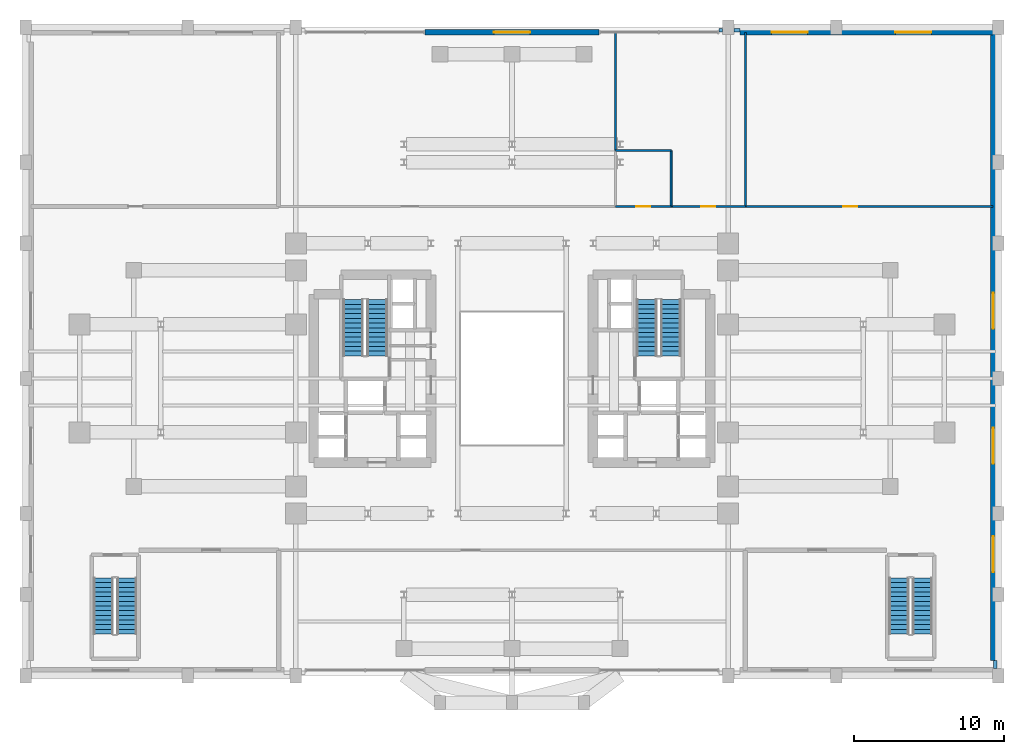
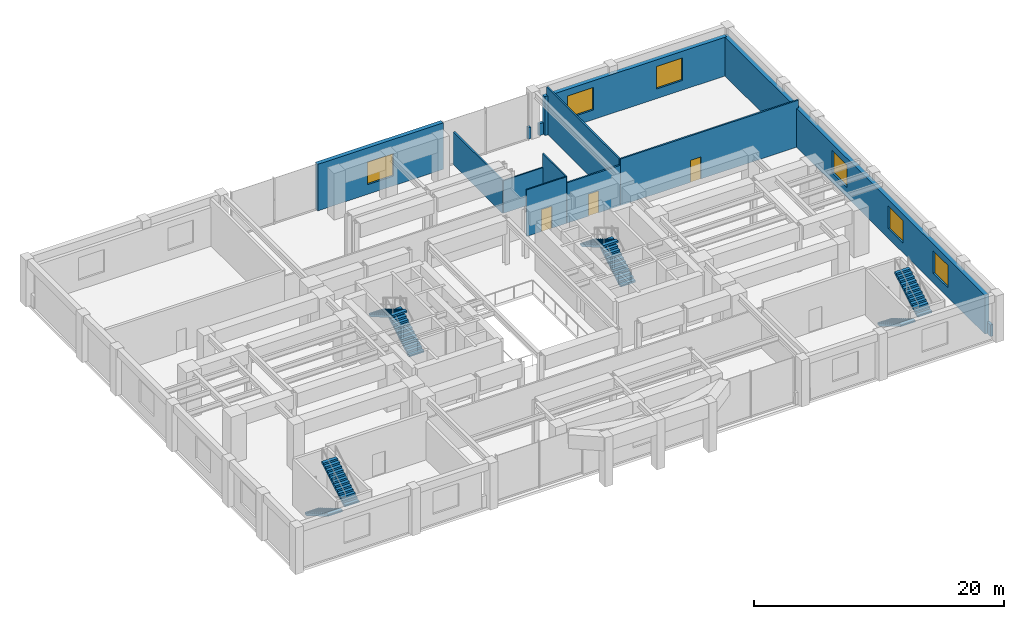
# One storey, part 12 of 14: 13 walls, 8 stair flights, 6 windows, 3 doors, 9 openings, 4 elements without a shape of their own.
"""IFC4 building model written with IfcOpenShell, lengths in metres."""

from ifc_helpers import new_model, si_unit, direction, frame, frame_2d, origin, place, context, subcontext, project, spatial, polyline, rectangle, outline, extrude, source, transform, mapped, material, layer, layer_set, type_object, element, fill, aggregate, save


model = new_model("IFC4")

# Units and contexts
model_context = context("Model", 3, precision=1e-05, world=origin(), true_north=direction((0.0, 1.0)))
body_context = subcontext(model_context, "Body", "Model", "MODEL_VIEW")
ifc_project = project(units=[si_unit("LENGTHUNIT", "METRE"), si_unit("AREAUNIT", "SQUARE_METRE"), si_unit("VOLUMEUNIT", "CUBIC_METRE"), si_unit("PLANEANGLEUNIT", "RADIAN"), si_unit("MASSUNIT", "GRAM", prefix="KILO")], contexts=[model_context])

# Site, building, storey
site_placement = place(None, origin())
site = spatial("IfcSite", under=ifc_project, at=site_placement, CompositionType="ELEMENT")
building_placement = place(site_placement, origin())
building = spatial("IfcBuilding", under=site, at=building_placement, Name="Keilestroom Media Tower", CompositionType="ELEMENT")
storey_placement = place(building_placement, frame((0.0, 0.0, 15.60009765625)))
storey = spatial("IfcBuildingStorey", under=building, at=storey_placement, Name="L03", CompositionType="ELEMENT", Elevation=15.60009765625)

# Wall, openings, windows
ifc_material_1 = material(Name="Precast concrete C40/50", Category="concrete")
ifc_layer_1 = layer(ifc_material_1, 0.3798828125)
ifc_layer_set_1 = layer_set([ifc_layer_1], Name="Precast concrete C40/50")
wall_type_1 = type_object("IfcWallType", Name="Exterior-Masonry-Spandrel-Wall-380", PredefinedType="SOLIDWALL", material=ifc_layer_set_1)
wall_1_placement = place(storey_placement, frame((15.199951171875, 23.050048828125, 0.0), z_axis=(0.0, 0.0, 1.0), x_axis=(1.0, 0.0, 0.0)))
wall_1 = element("IfcWall", 1, at=wall_1_placement, inside=storey, type_object=wall_type_1, Name="L03 Podium Precast Masonry Wall EWL-L03-N-E", PredefinedType="SOLIDWALL", context=body_context, shape_type="SweptSolid", body=[
    extrude(rectangle(XDim=16.85009765625, YDim=0.3798828125, at=frame_2d((8.425048828125, 0.0))), origin(), (0.0, 0.0, 1.0), 3.7998046875),
])
opening_1_placement = place(wall_1_placement, frame((2.087890625, 0.0, 0.949951171875)))
opening_1 = element("IfcOpeningElement", 2, at=opening_1_placement, cuts=wall_1, Name="Opening WN-02", PredefinedType="OPENING", context=body_context, shape_type="SweptSolid", body=[
    extrude(rectangle(XDim=2.39990234375, YDim=2.199951171875, at=frame_2d((1.199951171875, 1.10009765625))), frame((0.0, 0.199951171875, 0.0), z_axis=(0.0, -1.0, 0.0), x_axis=(1.0, 0.0, 0.0)), (0.0, 0.0, 1.0), 0.39990234375),
])
opening_2_placement = place(wall_1_placement, frame((10.337890625, 0.0, 0.949951171875)))
opening_2 = element("IfcOpeningElement", 3, at=opening_2_placement, cuts=wall_1, Name="Opening WN-02", PredefinedType="OPENING", context=body_context, shape_type="SweptSolid", body=[
    extrude(rectangle(XDim=2.39990234375, YDim=2.199951171875, at=frame_2d((1.199951171875, 1.10009765625))), frame((0.0, 0.199951171875, 0.0), z_axis=(0.0, -1.0, 0.0), x_axis=(1.0, 0.0, 0.0)), (0.0, 0.0, 1.0), 0.39990234375),
])
ifc_material_2 = material(Name="Triple Glazed Low-E Window Unit", Category="glass")
window_type = type_object("IfcWindowType", Name="Recessed-Punched-Window-WN-02", PartitioningType="DOUBLE_PANEL_VERTICAL", PredefinedType="WINDOW", material=ifc_material_2)
shared_shape_1 = source(origin(), body_context, "Body", "SweptSolid", [
    extrude(rectangle(XDim=2.39990234375, YDim=2.199951171875, at=frame_2d((1.199951171875, 1.10009765625))), frame((0.0, 0.030029296875, 0.0), z_axis=(0.0, -1.0, 0.0), x_axis=(1.0, 0.0, 0.0)), (0.0, 0.0, 1.0), 0.06005859375),
])
window_1_placement = place(opening_1_placement, origin())
window_1 = element("IfcWindow", 4, at=window_1_placement, inside=storey, type_object=window_type, Name="L03 Window WN-02 EWL-L03-N-E-1", OverallHeight=2.199951171875, OverallWidth=2.39990234375, PartitioningType="SINGLE_PANEL", PredefinedType="WINDOW", context=body_context, shape_type="MappedRepresentation", body=[
    mapped(shared_shape_1, transform((0.0, 0.0, 0.0), x_axis=(1.0, 0.0, 0.0), y_axis=(0.0, 1.0, 0.0), z_axis=(0.0, 0.0, 1.0), scale=1.0)),
])
fill(opening_1, window_1)
window_2_placement = place(opening_2_placement, origin())
window_2 = element("IfcWindow", 5, at=window_2_placement, inside=storey, type_object=window_type, Name="L03 Window WN-02 EWL-L03-N-E-2", OverallHeight=2.199951171875, OverallWidth=2.39990234375, PartitioningType="SINGLE_PANEL", PredefinedType="WINDOW", context=body_context, shape_type="MappedRepresentation", body=[
    mapped(shared_shape_1, transform((0.0, 0.0, 0.0), x_axis=(1.0, 0.0, 0.0), y_axis=(0.0, 1.0, 0.0), z_axis=(0.0, 0.0, 1.0), scale=1.0)),
])
fill(opening_2, window_2)

wall_2_placement = place(storey_placement, frame((32.050048828125, -18.800048828125, 0.0), z_axis=(0.0, 0.0, 1.0), x_axis=(0.0, 1.0, 0.0)))
wall_2 = element("IfcWall", 6, at=wall_2_placement, inside=storey, type_object=wall_type_1, Name="L03 Podium Precast Masonry Wall EWL-L03-E-M", PredefinedType="SOLIDWALL", context=body_context, shape_type="SweptSolid", body=[
    extrude(rectangle(XDim=42.0, YDim=0.3798828125, at=frame_2d((21.0, 0.0))), origin(), (0.0, 0.0, 1.0), 3.7998046875),
])
opening_3_placement = place(wall_2_placement, frame((5.89990234375, 0.0, 0.949951171875)))
opening_3 = element("IfcOpeningElement", 7, at=opening_3_placement, cuts=wall_2, Name="Opening WN-02", PredefinedType="OPENING", context=body_context, shape_type="SweptSolid", body=[
    extrude(rectangle(XDim=2.39990234375, YDim=2.199951171875, at=frame_2d((1.199951171875, 1.10009765625))), frame((0.0, 0.199951171875, 0.0), z_axis=(0.0, -1.0, 0.0), x_axis=(1.0, 0.0, 0.0)), (0.0, 0.0, 1.0), 0.39990234375),
])
opening_4_placement = place(wall_2_placement, frame((13.10009765625, 0.0, 0.949951171875)))
opening_4 = element("IfcOpeningElement", 8, at=opening_4_placement, cuts=wall_2, Name="Opening WN-02", PredefinedType="OPENING", context=body_context, shape_type="SweptSolid", body=[
    extrude(rectangle(XDim=2.39990234375, YDim=2.199951171875, at=frame_2d((1.199951171875, 1.10009765625))), frame((0.0, 0.199951171875, 0.0), z_axis=(0.0, -1.0, 0.0), x_axis=(1.0, 0.0, 0.0)), (0.0, 0.0, 1.0), 0.39990234375),
])
opening_5_placement = place(wall_2_placement, frame((22.10009765625, 0.0, 0.949951171875)))
opening_5 = element("IfcOpeningElement", 9, at=opening_5_placement, cuts=wall_2, Name="Opening WN-02", PredefinedType="OPENING", context=body_context, shape_type="SweptSolid", body=[
    extrude(rectangle(XDim=2.39990234375, YDim=2.199951171875, at=frame_2d((1.199951171875, 1.10009765625))), frame((0.0, 0.199951171875, 0.0), z_axis=(0.0, -1.0, 0.0), x_axis=(1.0, 0.0, 0.0)), (0.0, 0.0, 1.0), 0.39990234375),
])
window_3_placement = place(opening_3_placement, origin())
window_3 = element("IfcWindow", 10, at=window_3_placement, inside=storey, type_object=window_type, Name="L03 Window WN-02 EWL-L03-E-M-1", OverallHeight=2.199951171875, OverallWidth=2.39990234375, PartitioningType="SINGLE_PANEL", PredefinedType="WINDOW", context=body_context, shape_type="MappedRepresentation", body=[
    mapped(shared_shape_1, transform((0.0, 0.0, 0.0), x_axis=(1.0, 0.0, 0.0), y_axis=(0.0, 1.0, 0.0), z_axis=(0.0, 0.0, 1.0), scale=1.0)),
])
fill(opening_3, window_3)
window_4_placement = place(opening_4_placement, origin())
window_4 = element("IfcWindow", 11, at=window_4_placement, inside=storey, type_object=window_type, Name="L03 Window WN-02 EWL-L03-E-M-2", OverallHeight=2.199951171875, OverallWidth=2.39990234375, PartitioningType="SINGLE_PANEL", PredefinedType="WINDOW", context=body_context, shape_type="MappedRepresentation", body=[
    mapped(shared_shape_1, transform((0.0, 0.0, 0.0), x_axis=(1.0, 0.0, 0.0), y_axis=(0.0, 1.0, 0.0), z_axis=(0.0, 0.0, 1.0), scale=1.0)),
])
fill(opening_4, window_4)
window_5_placement = place(opening_5_placement, origin())
window_5 = element("IfcWindow", 12, at=window_5_placement, inside=storey, type_object=window_type, Name="L03 Window WN-02 EWL-L03-E-M-3", OverallHeight=2.199951171875, OverallWidth=2.39990234375, PartitioningType="SINGLE_PANEL", PredefinedType="WINDOW", context=body_context, shape_type="MappedRepresentation", body=[
    mapped(shared_shape_1, transform((0.0, 0.0, 0.0), x_axis=(1.0, 0.0, 0.0), y_axis=(0.0, 1.0, 0.0), z_axis=(0.0, 0.0, 1.0), scale=1.0)),
])
fill(opening_5, window_5)

# Wall, opening, window
wall_3_placement = place(storey_placement, frame((-5.804931640625, 23.050048828125, 0.0), z_axis=(0.0, 0.0, 1.0), x_axis=(1.0, 0.0, 0.0)))
wall_3 = element("IfcWall", 13, at=wall_3_placement, inside=storey, type_object=wall_type_1, Name="L03 Podium Precast Masonry Wall EWL-L03-N-C-1", PredefinedType="SOLIDWALL", context=body_context, shape_type="SweptSolid", body=[
    extrude(rectangle(XDim=11.60986328125, YDim=0.3798828125, at=frame_2d((5.804931640625, 0.0))), origin(), (0.0, 0.0, 1.0), 4.5498046875),
])
opening_6_placement = place(wall_3_placement, frame((4.60498046875, 0.0, 0.949951171875)))
opening_6 = element("IfcOpeningElement", 14, at=opening_6_placement, cuts=wall_3, Name="Opening WN-02", PredefinedType="OPENING", context=body_context, shape_type="SweptSolid", body=[
    extrude(rectangle(XDim=2.39990234375, YDim=2.199951171875, at=frame_2d((1.199951171875, 1.10009765625))), frame((0.0, 0.199951171875, 0.0), z_axis=(0.0, -1.0, 0.0), x_axis=(1.0, 0.0, 0.0)), (0.0, 0.0, 1.0), 0.39990234375),
])
window_6_placement = place(opening_6_placement, origin())
window_6 = element("IfcWindow", 15, at=window_6_placement, inside=storey, type_object=window_type, Name="L03 Window WN-02 EWL-L03-N-C-1-1", OverallHeight=2.199951171875, OverallWidth=2.39990234375, PartitioningType="SINGLE_PANEL", PredefinedType="WINDOW", context=body_context, shape_type="MappedRepresentation", body=[
    mapped(shared_shape_1, transform((0.0, 0.0, 0.0), x_axis=(1.0, 0.0, 0.0), y_axis=(0.0, 1.0, 0.0), z_axis=(0.0, 0.0, 1.0), scale=1.0)),
])
fill(opening_6, window_6)

# Wall, opening, door
ifc_material_3 = material(Name="Gypsum Plasterboard & Steel Stud", Category="steel")
ifc_layer_2 = layer(ifc_material_3, 0.1201171875)
ifc_layer_set_2 = layer_set([ifc_layer_2], Name="Gypsum Plasterboard & Steel Stud")
wall_type_2 = type_object("IfcWallType", Name="Interior-Partition-Wall-120", PredefinedType="PARTITIONING", material=ifc_layer_set_2)
wall_4_placement = place(storey_placement, frame((6.89990234375, 11.449951171875, 0.0), z_axis=(0.0, 0.0, 1.0), x_axis=(1.0, 0.0, 0.0)))
wall_4 = element("IfcWall", 16, at=wall_4_placement, inside=storey, type_object=wall_type_2, Name="L03 Interior Wall WP-L03-WC-POD-S", PredefinedType="PARTITIONING", context=body_context, shape_type="SweptSolid", body=[
    extrude(rectangle(XDim=3.7001953125, YDim=0.1201171875, at=frame_2d((1.85009765625, 0.0))), origin(), (0.0, 0.0, 1.0), 4.5498046875),
])
opening_7_placement = place(wall_4_placement, frame((1.375, 0.0, 0.0)))
opening_7 = element("IfcOpeningElement", 17, at=opening_7_placement, cuts=wall_4, Name="Opening DI-03", PredefinedType="OPENING", context=body_context, shape_type="SweptSolid", body=[
    extrude(rectangle(XDim=0.949951171875, YDim=2.14990234375, at=frame_2d((0.47509765625, 1.074951171875))), frame((0.0, 0.070068359375, 0.0), z_axis=(0.0, -1.0, 0.0), x_axis=(1.0, 0.0, 0.0)), (0.0, 0.0, 1.0), 0.14013671875),
])
ifc_material_4 = material(Name="Lacquered European Oak Leaf", Category="wood")
door_type = type_object("IfcDoorType", Name="Interior-Room-And-Suite-Door-DI-03", OperationType="NOTDEFINED", PredefinedType="DOOR", material=ifc_material_4)
shared_shape_2 = source(origin(), body_context, "Body", "SweptSolid", [
    extrude(rectangle(XDim=0.949951171875, YDim=2.14990234375, at=frame_2d((0.47509765625, 1.074951171875))), frame((0.0, 0.02490234375, 0.0), z_axis=(0.0, -1.0, 0.0), x_axis=(1.0, 0.0, 0.0)), (0.0, 0.0, 1.0), 0.050048828125),
])
door_1_placement = place(opening_7_placement, origin())
door_1 = element("IfcDoor", 18, at=door_1_placement, inside=storey, type_object=door_type, Name="L03 Interior Door DI-L03-DWC-POD", OperationType="SINGLE_SWING_RIGHT", OverallHeight=2.14990234375, OverallWidth=0.949951171875, PredefinedType="DOOR", context=body_context, shape_type="MappedRepresentation", body=[
    mapped(shared_shape_2, transform((0.0, 0.0, 0.0), x_axis=(1.0, 0.0, 0.0), y_axis=(0.0, 1.0, 0.0), z_axis=(0.0, 0.0, 1.0), scale=1.0)),
])
fill(opening_7, door_1)

# Walls
wall_5_placement = place(storey_placement, frame((6.89990234375, 15.179931640625, 0.0), z_axis=(0.0, 0.0, 1.0), x_axis=(1.0, 0.0, 0.0)))
element("IfcWall", 19, at=wall_5_placement, inside=storey, type_object=wall_type_2, Name="L03 Interior Wall WP-L03-WC-POD-N", PredefinedType="PARTITIONING", context=body_context, shape_type="SweptSolid", body=[
    extrude(rectangle(XDim=3.7001953125, YDim=0.1201171875, at=frame_2d((1.85009765625, 0.0))), origin(), (0.0, 0.0, 1.0), 3.199951171875),
])
wall_6_placement = place(storey_placement, frame((10.60009765625, 11.449951171875, 0.0), z_axis=(0.0, 0.0, 1.0), x_axis=(0.0, 1.0, 0.0)))
element("IfcWall", 20, at=wall_6_placement, inside=storey, type_object=wall_type_2, Name="L03 Interior Wall WP-L03-WC-POD-E", PredefinedType="PARTITIONING", context=body_context, shape_type="SweptSolid", body=[
    extrude(rectangle(XDim=3.72998046875, YDim=0.1201171875, at=frame_2d((1.864990234375, 0.0))), origin(), (0.0, 0.0, 1.0), 4.5498046875),
])

# Wall, opening, door
ifc_layer_3 = layer(ifc_material_3, 0.14990234375)
ifc_layer_set_3 = layer_set([ifc_layer_3], Name="Gypsum Plasterboard & Steel Stud")
wall_type_3 = type_object("IfcWallType", Name="Interior-Partition-Wall-150", PredefinedType="PARTITIONING", material=ifc_layer_set_3)
wall_7_placement = place(storey_placement, frame((15.550048828125, 11.449951171875, 0.0), z_axis=(0.0, 0.0, 1.0), x_axis=(1.0, 0.0, 0.0)))
wall_7 = element("IfcWall", 21, at=wall_7_placement, inside=storey, type_object=wall_type_3, Name="L03 Interior Wall WP-L03-EDIT-NE-S", PredefinedType="PARTITIONING", context=body_context, shape_type="SweptSolid", body=[
    extrude(rectangle(XDim=16.5, YDim=0.14990234375, at=frame_2d((8.25, 0.0))), origin(), (0.0, 0.0, 1.0), 4.5498046875),
])
opening_8_placement = place(wall_7_placement, frame((6.5, 0.0, 0.0)))
opening_8 = element("IfcOpeningElement", 22, at=opening_8_placement, cuts=wall_7, Name="Opening DI-03", PredefinedType="OPENING", context=body_context, shape_type="SweptSolid", body=[
    extrude(rectangle(XDim=0.949951171875, YDim=2.14990234375, at=frame_2d((0.47509765625, 1.074951171875))), frame((0.0, 0.0849609375, 0.0), z_axis=(0.0, -1.0, 0.0), x_axis=(1.0, 0.0, 0.0)), (0.0, 0.0, 1.0), 0.169921875),
])
door_2_placement = place(opening_8_placement, origin())
door_2 = element("IfcDoor", 23, at=door_2_placement, inside=storey, type_object=door_type, Name="L03 Interior Door DI-L03-EDIT-NE-D", OperationType="SINGLE_SWING_RIGHT", OverallHeight=2.14990234375, OverallWidth=0.949951171875, PredefinedType="DOOR", context=body_context, shape_type="MappedRepresentation", body=[
    mapped(shared_shape_2, transform((0.0, 0.0, 0.0), x_axis=(1.0, 0.0, 0.0), y_axis=(0.0, 1.0, 0.0), z_axis=(0.0, 0.0, 1.0), scale=1.0)),
])
fill(opening_8, door_2)

# Walls
wall_8_placement = place(storey_placement, frame((15.550048828125, 11.449951171875, 0.0), z_axis=(0.0, 0.0, 1.0), x_axis=(0.0, 1.0, 0.0)))
element("IfcWall", 24, at=wall_8_placement, inside=storey, type_object=wall_type_3, Name="L03 Interior Wall WP-L03-EDIT-NE-W", PredefinedType="PARTITIONING", context=body_context, shape_type="SweptSolid", body=[
    extrude(rectangle(XDim=11.60009765625, YDim=0.14990234375, at=frame_2d((5.800048828125, 0.0))), origin(), (0.0, 0.0, 1.0), 4.5498046875),
])
wall_9_placement = place(storey_placement, frame((6.89990234375, 15.179931640625, 0.0), z_axis=(0.0, 0.0, 1.0), x_axis=(0.0, 1.0, 0.0)))
element("IfcWall", 25, at=wall_9_placement, inside=storey, type_object=wall_type_3, Name="L03 Interior Wall WP-L03-GREEN-N-E", PredefinedType="PARTITIONING", context=body_context, shape_type="SweptSolid", body=[
    extrude(rectangle(XDim=7.8701171875, YDim=0.14990234375, at=frame_2d((3.93505859375, 0.0))), origin(), (0.0, 0.0, 1.0), 3.199951171875),
])

# Wall, opening, door
wall_10_placement = place(storey_placement, frame((10.60009765625, 11.449951171875, 0.0), z_axis=(0.0, 0.0, 1.0), x_axis=(1.0, 0.0, 0.0)))
wall_10 = element("IfcWall", 26, at=wall_10_placement, inside=storey, type_object=wall_type_3, Name="L03 Interior Wall WP-L03-WARD-NE-S", PredefinedType="PARTITIONING", context=body_context, shape_type="SweptSolid", body=[
    extrude(rectangle(XDim=4.949951171875, YDim=0.14990234375, at=frame_2d((2.47509765625, 0.0))), origin(), (0.0, 0.0, 1.0), 3.949951171875),
])
opening_9_placement = place(wall_10_placement, frame((2.0, 0.0, 0.0)))
opening_9 = element("IfcOpeningElement", 27, at=opening_9_placement, cuts=wall_10, Name="Opening DI-03", PredefinedType="OPENING", context=body_context, shape_type="SweptSolid", body=[
    extrude(rectangle(XDim=0.949951171875, YDim=2.14990234375, at=frame_2d((0.47509765625, 1.074951171875))), frame((0.0, 0.0849609375, 0.0), z_axis=(0.0, -1.0, 0.0), x_axis=(1.0, 0.0, 0.0)), (0.0, 0.0, 1.0), 0.169921875),
])
door_3_placement = place(opening_9_placement, origin())
door_3 = element("IfcDoor", 28, at=door_3_placement, inside=storey, type_object=door_type, Name="L03 Interior Door DI-L03-WARD-NE-D", OperationType="SINGLE_SWING_RIGHT", OverallHeight=2.14990234375, OverallWidth=0.949951171875, PredefinedType="DOOR", context=body_context, shape_type="MappedRepresentation", body=[
    mapped(shared_shape_2, transform((0.0, 0.0, 0.0), x_axis=(1.0, 0.0, 0.0), y_axis=(0.0, 1.0, 0.0), z_axis=(0.0, 0.0, 1.0), scale=1.0)),
])
fill(opening_9, door_3)

# Walls
ifc_layer_4 = layer(ifc_material_1, 0.239990234375)
ifc_layer_set_4 = layer_set([ifc_layer_4], Name="Precast concrete C40/50")
wall_type_4 = type_object("IfcWallType", Name="Roof-And-Terrace-Parapet-Wall-240", PredefinedType="PARAPET", material=ifc_layer_set_4)
wall_11_placement = place(storey_placement, frame((13.782958984375, 23.199951171875, 0.0), z_axis=(0.0, 0.0, 1.0), x_axis=(1.0, 0.0, 0.0)))
element("IfcWall", 29, at=wall_11_placement, inside=storey, type_object=wall_type_4, Name="L03 Perimeter Edge Parapet Wall 05", PredefinedType="PARAPET", context=body_context, shape_type="SweptSolid", body=[
    extrude(rectangle(XDim=0.239013671875, YDim=0.239990234375, at=frame_2d((0.11962890625, 0.0))), origin(), (0.0, 0.0, 1.0), 1.14990234375),
])
wall_12_placement = place(storey_placement, frame((14.778076171875, 23.199951171875, 0.0), z_axis=(0.0, 0.0, 1.0), x_axis=(1.0, 0.0, 0.0)))
element("IfcWall", 30, at=wall_12_placement, inside=storey, type_object=wall_type_4, Name="L03 Perimeter Edge Parapet Wall 06", PredefinedType="PARAPET", context=body_context, shape_type="SweptSolid", body=[
    extrude(rectangle(XDim=0.4189453125, YDim=0.239990234375, at=frame_2d((0.20947265625, 0.0))), origin(), (0.0, 0.0, 1.0), 1.14990234375),
])
wall_13_placement = place(storey_placement, frame((32.199951171875, -18.802978515625, 0.0), z_axis=(0.0, 0.0, 1.0), x_axis=(0.0, -1.0, 0.0)))
element("IfcWall", 31, at=wall_13_placement, inside=storey, type_object=wall_type_4, Name="L03 Perimeter Edge Parapet Wall 07", PredefinedType="PARAPET", context=body_context, shape_type="SweptSolid", body=[
    extrude(rectangle(XDim=0.51904296875, YDim=0.239990234375, at=frame_2d((0.259521484375, 0.0))), origin(), (0.0, 0.0, 1.0), 1.14990234375),
])

# Stair, stair flights
ifc_material_5 = material(Name="Concrete C45/55", Category="concrete")
stair_type_1 = type_object("IfcStairType", Name="Enclosed-Dog-Leg-Stair-ST-CORE", PredefinedType="HALF_TURN_STAIR", material=ifc_material_5)
stair_1_placement = place(storey_placement, origin())
stair_1 = element("IfcStair", 32, at=stair_1_placement, inside=storey, type_object=stair_type_1, Name="L03 West Core Escape Stair ST-1", PredefinedType="HALF_TURN_STAIR")
stair_flight_type_1 = type_object("IfcStairFlightType", Name="Precast-Concrete-Stair-Flight-Core-160", PredefinedType="STRAIGHT", material=ifc_material_1)
stair_flight_1_placement = place(storey_placement, frame((-8.97998046875, 1.5, 0.0), z_axis=(0.0, 0.0, 1.0), x_axis=(0.0, 1.0, 0.0)))
stair_flight_1 = element("IfcStairFlight", 33, at=stair_flight_1_placement, type_object=stair_flight_type_1, Name="ST-1 flight 1", NumberOfRisers=13, NumberOfTreads=12, PredefinedType="STRAIGHT", RiserHeight=0.184615385, TreadLength=0.312, context=body_context, shape_type="SweptSolid", body=[
    extrude(outline(polyline([(0.0, 0.0), (0.0, 0.1845703125), (0.31201171875, 0.1845703125), (0.31201171875, 0.369140625), (0.6240234375, 0.369140625), (0.6240234375, 0.553955078125), (0.93603515625, 0.553955078125), (0.93603515625, 0.738525390625), (1.248046875, 0.738525390625), (1.248046875, 0.923095703125), (1.56005859375, 0.923095703125), (1.56005859375, 1.107666015625), (1.8720703125, 1.107666015625), (1.8720703125, 1.292236328125), (2.18408203125, 1.292236328125), (2.18408203125, 1.476806640625), (2.49609375, 1.476806640625), (2.49609375, 1.66162109375), (2.80810546875, 1.66162109375), (2.80810546875, 1.84619140625), (3.1201171875, 1.84619140625), (3.1201171875, 2.03076171875), (3.431884765625, 2.03076171875), (3.431884765625, 2.21533203125), (3.743896484375, 2.21533203125), (3.743896484375, 2.39990234375), (3.743896484375, 2.029541015625), (0.31396484375, 0.0), (0.0, 0.0)])), frame((0.0, 0.68017578125, 0.0), z_axis=(0.0, -1.0, 0.0), x_axis=(1.0, 0.0, 0.0)), (0.0, 0.0, 1.0), 1.360107421875),
])
stair_flight_2_placement = place(storey_placement, frame((-10.580078125, 5.243896484375, 2.39990234375), z_axis=(0.0, 0.0, 1.0), x_axis=(0.0, -1.0, 0.0)))
stair_flight_2 = element("IfcStairFlight", 34, at=stair_flight_2_placement, type_object=stair_flight_type_1, Name="ST-1 flight 2", NumberOfRisers=13, NumberOfTreads=12, PredefinedType="STRAIGHT", RiserHeight=0.184615385, TreadLength=0.312, context=body_context, shape_type="SweptSolid", body=[
    extrude(outline(polyline([(0.0, 0.0), (0.0, 0.1845703125), (0.31201171875, 0.1845703125), (0.31201171875, 0.369140625), (0.6240234375, 0.369140625), (0.6240234375, 0.553955078125), (0.93603515625, 0.553955078125), (0.93603515625, 0.738525390625), (1.248046875, 0.738525390625), (1.248046875, 0.923095703125), (1.56005859375, 0.923095703125), (1.56005859375, 1.107666015625), (1.8720703125, 1.107666015625), (1.8720703125, 1.292236328125), (2.18408203125, 1.292236328125), (2.18408203125, 1.476806640625), (2.49609375, 1.476806640625), (2.49609375, 1.66162109375), (2.80810546875, 1.66162109375), (2.80810546875, 1.84619140625), (3.1201171875, 1.84619140625), (3.1201171875, 2.03076171875), (3.431884765625, 2.03076171875), (3.431884765625, 2.21533203125), (3.743896484375, 2.21533203125), (3.743896484375, 2.39990234375), (3.743896484375, 2.029541015625), (0.31396484375, 0.0), (0.0, 0.0)])), frame((0.0, 0.68017578125, 0.0), z_axis=(0.0, -1.0, 0.0), x_axis=(1.0, 0.0, 0.0)), (0.0, 0.0, 1.0), 1.360107421875),
])
aggregate(stair_1, [stair_flight_1, stair_flight_2])

stair_2_placement = place(storey_placement, origin())
stair_2 = element("IfcStair", 35, at=stair_2_placement, inside=storey, type_object=stair_type_1, Name="L03 East Core Escape Stair ST-2", PredefinedType="HALF_TURN_STAIR")
stair_flight_3_placement = place(storey_placement, frame((10.580078125, 1.5, 0.0), z_axis=(0.0, 0.0, 1.0), x_axis=(0.0, 1.0, 0.0)))
stair_flight_3 = element("IfcStairFlight", 36, at=stair_flight_3_placement, type_object=stair_flight_type_1, Name="ST-2 flight 1", NumberOfRisers=13, NumberOfTreads=12, PredefinedType="STRAIGHT", RiserHeight=0.184615385, TreadLength=0.312, context=body_context, shape_type="SweptSolid", body=[
    extrude(outline(polyline([(0.0, 0.0), (0.0, 0.1845703125), (0.31201171875, 0.1845703125), (0.31201171875, 0.369140625), (0.6240234375, 0.369140625), (0.6240234375, 0.553955078125), (0.93603515625, 0.553955078125), (0.93603515625, 0.738525390625), (1.248046875, 0.738525390625), (1.248046875, 0.923095703125), (1.56005859375, 0.923095703125), (1.56005859375, 1.107666015625), (1.8720703125, 1.107666015625), (1.8720703125, 1.292236328125), (2.18408203125, 1.292236328125), (2.18408203125, 1.476806640625), (2.49609375, 1.476806640625), (2.49609375, 1.66162109375), (2.80810546875, 1.66162109375), (2.80810546875, 1.84619140625), (3.1201171875, 1.84619140625), (3.1201171875, 2.03076171875), (3.431884765625, 2.03076171875), (3.431884765625, 2.21533203125), (3.743896484375, 2.21533203125), (3.743896484375, 2.39990234375), (3.743896484375, 2.029541015625), (0.31396484375, 0.0), (0.0, 0.0)])), frame((0.0, 0.68017578125, 0.0), z_axis=(0.0, -1.0, 0.0), x_axis=(1.0, 0.0, 0.0)), (0.0, 0.0, 1.0), 1.360107421875),
])
stair_flight_4_placement = place(storey_placement, frame((8.97998046875, 5.243896484375, 2.39990234375), z_axis=(0.0, 0.0, 1.0), x_axis=(0.0, -1.0, 0.0)))
stair_flight_4 = element("IfcStairFlight", 37, at=stair_flight_4_placement, type_object=stair_flight_type_1, Name="ST-2 flight 2", NumberOfRisers=13, NumberOfTreads=12, PredefinedType="STRAIGHT", RiserHeight=0.184615385, TreadLength=0.312, context=body_context, shape_type="SweptSolid", body=[
    extrude(outline(polyline([(0.0, 0.0), (0.0, 0.1845703125), (0.31201171875, 0.1845703125), (0.31201171875, 0.369140625), (0.6240234375, 0.369140625), (0.6240234375, 0.553955078125), (0.93603515625, 0.553955078125), (0.93603515625, 0.738525390625), (1.248046875, 0.738525390625), (1.248046875, 0.923095703125), (1.56005859375, 0.923095703125), (1.56005859375, 1.107666015625), (1.8720703125, 1.107666015625), (1.8720703125, 1.292236328125), (2.18408203125, 1.292236328125), (2.18408203125, 1.476806640625), (2.49609375, 1.476806640625), (2.49609375, 1.66162109375), (2.80810546875, 1.66162109375), (2.80810546875, 1.84619140625), (3.1201171875, 1.84619140625), (3.1201171875, 2.03076171875), (3.431884765625, 2.03076171875), (3.431884765625, 2.21533203125), (3.743896484375, 2.21533203125), (3.743896484375, 2.39990234375), (3.743896484375, 2.029541015625), (0.31396484375, 0.0), (0.0, 0.0)])), frame((0.0, 0.68017578125, 0.0), z_axis=(0.0, -1.0, 0.0), x_axis=(1.0, 0.0, 0.0)), (0.0, 0.0, 1.0), 1.360107421875),
])
aggregate(stair_2, [stair_flight_3, stair_flight_4])

stair_type_2 = type_object("IfcStairType", Name="Enclosed-Dog-Leg-Stair-ST-POD", PredefinedType="HALF_TURN_STAIR", material=ifc_material_5)
stair_3_placement = place(storey_placement, origin())
stair_3 = element("IfcStair", 38, at=stair_3_placement, inside=storey, type_object=stair_type_2, Name="L03 Podium West Studio Escape Stair ST-3", PredefinedType="HALF_TURN_STAIR")
stair_flight_type_2 = type_object("IfcStairFlightType", Name="Precast-Concrete-Stair-Flight-Podium-160", PredefinedType="STRAIGHT", material=ifc_material_1)
stair_flight_5_placement = place(storey_placement, frame((-27.219970703125, -13.2900390625, 0.0), z_axis=(0.0, 0.0, 1.0), x_axis=(0.0, -1.0, 0.0)))
stair_flight_5 = element("IfcStairFlight", 39, at=stair_flight_5_placement, type_object=stair_flight_type_2, Name="ST-3 flight 1", NumberOfRisers=13, NumberOfTreads=12, PredefinedType="STRAIGHT", RiserHeight=0.184615385, TreadLength=0.312, context=body_context, shape_type="SweptSolid", body=[
    extrude(outline(polyline([(0.0, 0.0), (0.0, 0.1845703125), (0.31201171875, 0.1845703125), (0.31201171875, 0.369140625), (0.6240234375, 0.369140625), (0.6240234375, 0.553955078125), (0.93603515625, 0.553955078125), (0.93603515625, 0.738525390625), (1.248046875, 0.738525390625), (1.248046875, 0.923095703125), (1.56005859375, 0.923095703125), (1.56005859375, 1.107666015625), (1.8720703125, 1.107666015625), (1.8720703125, 1.292236328125), (2.18408203125, 1.292236328125), (2.18408203125, 1.476806640625), (2.49609375, 1.476806640625), (2.49609375, 1.66162109375), (2.80810546875, 1.66162109375), (2.80810546875, 1.84619140625), (3.1201171875, 1.84619140625), (3.1201171875, 2.03076171875), (3.431884765625, 2.03076171875), (3.431884765625, 2.21533203125), (3.743896484375, 2.21533203125), (3.743896484375, 2.39990234375), (3.743896484375, 2.029541015625), (0.31396484375, 0.0), (0.0, 0.0)])), frame((0.0, 0.66015625, 0.0), z_axis=(0.0, -1.0, 0.0), x_axis=(1.0, 0.0, 0.0)), (0.0, 0.0, 1.0), 1.320068359375),
])
stair_flight_6_placement = place(storey_placement, frame((-25.659912109375, -17.033935546875, 2.39990234375), z_axis=(0.0, 0.0, 1.0), x_axis=(0.0, 1.0, 0.0)))
stair_flight_6 = element("IfcStairFlight", 40, at=stair_flight_6_placement, type_object=stair_flight_type_2, Name="ST-3 flight 2", NumberOfRisers=13, NumberOfTreads=12, PredefinedType="STRAIGHT", RiserHeight=0.184615385, TreadLength=0.312, context=body_context, shape_type="SweptSolid", body=[
    extrude(outline(polyline([(0.0, 0.0), (0.0, 0.1845703125), (0.31201171875, 0.1845703125), (0.31201171875, 0.369140625), (0.6240234375, 0.369140625), (0.6240234375, 0.553955078125), (0.93603515625, 0.553955078125), (0.93603515625, 0.738525390625), (1.248046875, 0.738525390625), (1.248046875, 0.923095703125), (1.56005859375, 0.923095703125), (1.56005859375, 1.107666015625), (1.8720703125, 1.107666015625), (1.8720703125, 1.292236328125), (2.18408203125, 1.292236328125), (2.18408203125, 1.476806640625), (2.49609375, 1.476806640625), (2.49609375, 1.66162109375), (2.80810546875, 1.66162109375), (2.80810546875, 1.84619140625), (3.1201171875, 1.84619140625), (3.1201171875, 2.03076171875), (3.431884765625, 2.03076171875), (3.431884765625, 2.21533203125), (3.743896484375, 2.21533203125), (3.743896484375, 2.39990234375), (3.743896484375, 2.029541015625), (0.31396484375, 0.0), (0.0, 0.0)])), frame((0.0, 0.66015625, 0.0), z_axis=(0.0, -1.0, 0.0), x_axis=(1.0, 0.0, 0.0)), (0.0, 0.0, 1.0), 1.320068359375),
])
aggregate(stair_3, [stair_flight_5, stair_flight_6])

stair_4_placement = place(storey_placement, origin())
stair_4 = element("IfcStair", 41, at=stair_4_placement, inside=storey, type_object=stair_type_2, Name="L03 Podium East Studio Escape Stair ST-4", PredefinedType="HALF_TURN_STAIR")
stair_flight_7_placement = place(storey_placement, frame((25.780029296875, -13.2900390625, 0.0), z_axis=(0.0, 0.0, 1.0), x_axis=(0.0, -1.0, 0.0)))
stair_flight_7 = element("IfcStairFlight", 42, at=stair_flight_7_placement, type_object=stair_flight_type_2, Name="ST-4 flight 1", NumberOfRisers=13, NumberOfTreads=12, PredefinedType="STRAIGHT", RiserHeight=0.184615385, TreadLength=0.312, context=body_context, shape_type="SweptSolid", body=[
    extrude(outline(polyline([(0.0, 0.0), (0.0, 0.1845703125), (0.31201171875, 0.1845703125), (0.31201171875, 0.369140625), (0.6240234375, 0.369140625), (0.6240234375, 0.553955078125), (0.93603515625, 0.553955078125), (0.93603515625, 0.738525390625), (1.248046875, 0.738525390625), (1.248046875, 0.923095703125), (1.56005859375, 0.923095703125), (1.56005859375, 1.107666015625), (1.8720703125, 1.107666015625), (1.8720703125, 1.292236328125), (2.18408203125, 1.292236328125), (2.18408203125, 1.476806640625), (2.49609375, 1.476806640625), (2.49609375, 1.66162109375), (2.80810546875, 1.66162109375), (2.80810546875, 1.84619140625), (3.1201171875, 1.84619140625), (3.1201171875, 2.03076171875), (3.431884765625, 2.03076171875), (3.431884765625, 2.21533203125), (3.743896484375, 2.21533203125), (3.743896484375, 2.39990234375), (3.743896484375, 2.029541015625), (0.31396484375, 0.0), (0.0, 0.0)])), frame((0.0, 0.66015625, 0.0), z_axis=(0.0, -1.0, 0.0), x_axis=(1.0, 0.0, 0.0)), (0.0, 0.0, 1.0), 1.320068359375),
])
stair_flight_8_placement = place(storey_placement, frame((27.340087890625, -17.033935546875, 2.39990234375), z_axis=(0.0, 0.0, 1.0), x_axis=(0.0, 1.0, 0.0)))
stair_flight_8 = element("IfcStairFlight", 43, at=stair_flight_8_placement, type_object=stair_flight_type_2, Name="ST-4 flight 2", NumberOfRisers=13, NumberOfTreads=12, PredefinedType="STRAIGHT", RiserHeight=0.184615385, TreadLength=0.312, context=body_context, shape_type="SweptSolid", body=[
    extrude(outline(polyline([(0.0, 0.0), (0.0, 0.1845703125), (0.31201171875, 0.1845703125), (0.31201171875, 0.369140625), (0.6240234375, 0.369140625), (0.6240234375, 0.553955078125), (0.93603515625, 0.553955078125), (0.93603515625, 0.738525390625), (1.248046875, 0.738525390625), (1.248046875, 0.923095703125), (1.56005859375, 0.923095703125), (1.56005859375, 1.107666015625), (1.8720703125, 1.107666015625), (1.8720703125, 1.292236328125), (2.18408203125, 1.292236328125), (2.18408203125, 1.476806640625), (2.49609375, 1.476806640625), (2.49609375, 1.66162109375), (2.80810546875, 1.66162109375), (2.80810546875, 1.84619140625), (3.1201171875, 1.84619140625), (3.1201171875, 2.03076171875), (3.431884765625, 2.03076171875), (3.431884765625, 2.21533203125), (3.743896484375, 2.21533203125), (3.743896484375, 2.39990234375), (3.743896484375, 2.029541015625), (0.31396484375, 0.0), (0.0, 0.0)])), frame((0.0, 0.66015625, 0.0), z_axis=(0.0, -1.0, 0.0), x_axis=(1.0, 0.0, 0.0)), (0.0, 0.0, 1.0), 1.320068359375),
])
aggregate(stair_4, [stair_flight_7, stair_flight_8])

save(model, "model.ifc")
